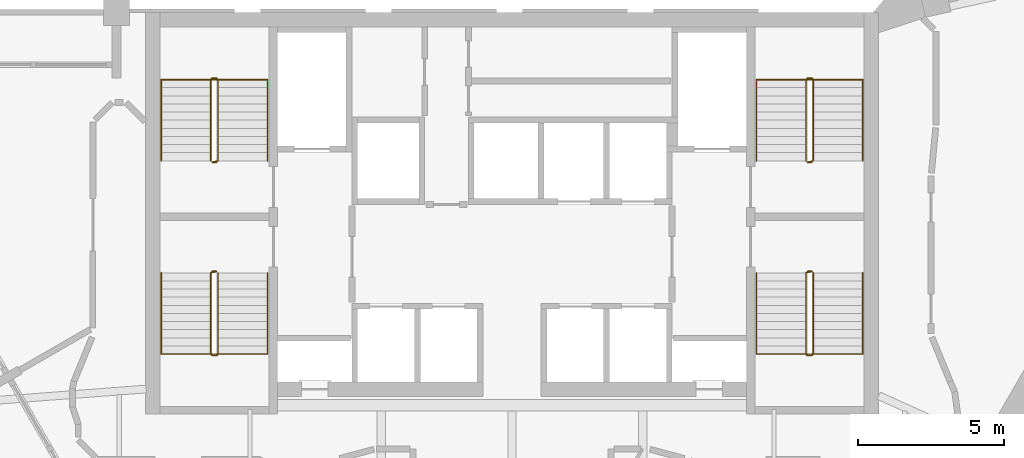
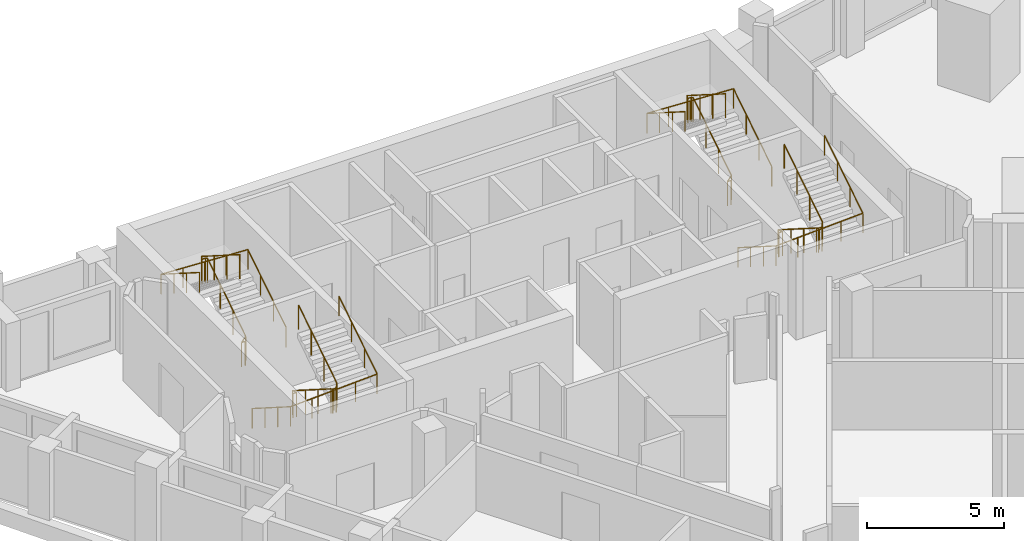
# One storey, part 8 of 8: 8 railings.
"""IFC4 building model written with IfcOpenShell, lengths in metres."""

import ifcopenshell
import ifcopenshell.guid

model = None  # the IFC model being written
_history = None  # IfcOwnerHistory: only IFC2X3 demands one
_inside = {}  # id of a spatial element -> (the spatial element, [elements in it])
_under = {}  # id of a project, library or spatial element -> (it, [spatial elements below it])
_declared = {}  # id of a project -> (the project, [libraries it declares])
_typed = {}  # id of a type object -> (the type object, [elements of that type])
_made_of = {}  # id of a material, layer set ... -> (it, [elements and type objects made of it])


def new_model(schema):
    """Start an empty IFC model of exactly this schema.

    Asked for "IFC4X3", IfcOpenShell would pick the latest addendum, in which some entities
    have other attributes; the version numbers below select the first issue.
    IFC2X3 requires an IfcOwnerHistory on every rooted entity: one is made here for all.
    """
    global model, _history
    if schema == "IFC4X3":
        model = ifcopenshell.file(schema_version=(4, 3, 0, 0))
    else:
        model = ifcopenshell.file(schema=schema)
    _inside.clear()
    _under.clear()
    _declared.clear()
    _typed.clear()
    _made_of.clear()
    _history = None
    if model.schema == "IFC2X3":
        org = make("IfcOrganization", Name="unknown")
        user = make(
            "IfcPersonAndOrganization",
            ThePerson=make("IfcPerson", FamilyName="unknown"),
            TheOrganization=org,
        )
        app = make(
            "IfcApplication",
            ApplicationDeveloper=org,
            Version="unknown",
            ApplicationFullName="unknown",
            ApplicationIdentifier="unknown",
        )
        _history = make(
            "IfcOwnerHistory",
            OwningUser=user,
            OwningApplication=app,
            ChangeAction="ADDED",
            CreationDate=0,
        )
    return model


def make(cls, **values):
    """One entity of the class cls with the attributes given. An attribute that is None is left unset."""
    return model.create_entity(
        cls, **{name: value for name, value in values.items() if value is not None}
    )


def rooted(cls, **values):
    """An entity with a GlobalId (a new one), such as an element, a storey or a relation."""
    return make(cls, GlobalId=ifcopenshell.guid.new(), OwnerHistory=_history, **values)


def si_unit(unit_type, name, prefix=None):
    """IfcSIUnit, for example si_unit("LENGTHUNIT", "METRE", prefix="MILLI")."""
    return make("IfcSIUnit", UnitType=unit_type, Prefix=prefix, Name=name)


def assignment(units):
    """IfcUnitAssignment: the units of a project."""
    return None if units is None else make("IfcUnitAssignment", Units=units)


def point(xyz):
    """IfcCartesianPoint."""
    return None if xyz is None else make("IfcCartesianPoint", Coordinates=xyz)


def direction(xyz):
    """IfcDirection."""
    return None if xyz is None else make("IfcDirection", DirectionRatios=xyz)


def frame(location, z_axis=None, x_axis=None):
    """IfcAxis2Placement3D, a coordinate frame: its origin and axes. An axis left out is left unset."""
    return make(
        "IfcAxis2Placement3D",
        Location=point(location),
        Axis=direction(z_axis),
        RefDirection=direction(x_axis),
    )


def frame_2d(location, x_axis=None):
    """IfcAxis2Placement2D, a coordinate frame in the plane: its origin and x axis."""
    return make(
        "IfcAxis2Placement2D", Location=point(location), RefDirection=direction(x_axis)
    )


def origin():
    """The frame at (0, 0, 0) with its axes left unset."""
    return frame((0.0, 0.0, 0.0))


def origin_2d():
    """The frame at (0, 0) in the plane with its x axis left unset."""
    return frame_2d((0.0, 0.0))


def place(relative_to, where):
    """IfcLocalPlacement: puts the frame where relative to a parent placement (None: the world)."""
    return make(
        "IfcLocalPlacement", PlacementRelTo=relative_to, RelativePlacement=where
    )


def context(
    kind, dimensions, precision=None, world=None, true_north=None, identifier=None
):
    """IfcGeometricRepresentationContext, for example the 3D "Model" context."""
    return make(
        "IfcGeometricRepresentationContext",
        ContextIdentifier=identifier,
        ContextType=kind,
        CoordinateSpaceDimension=dimensions,
        Precision=precision,
        WorldCoordinateSystem=world,
        TrueNorth=true_north,
    )


def subcontext(parent, identifier, kind, view, scale=None):
    """IfcGeometricRepresentationSubContext, for example "Body" below "Model"."""
    return make(
        "IfcGeometricRepresentationSubContext",
        ContextIdentifier=identifier,
        ContextType=kind,
        ParentContext=parent,
        TargetScale=scale,
        TargetView=view,
    )


def project(units=None, contexts=None):
    """IfcProject with its units and contexts."""
    return rooted(
        "IfcProject",
        Name="project",
        RepresentationContexts=contexts,
        UnitsInContext=assignment(units),
    )


def spatial(cls, under=None, at=None, **own):
    """A site, building, storey or space (cls), placed at a placement, below another one or the project."""
    s = rooted(cls, ObjectPlacement=at, **own)
    if under is not None:
        _under.setdefault(under.id(), (under, []))[1].append(s)
    return s


def profile(cls, at=None, kind="AREA", **sizes):
    """A parametric profile (cls). Its sizes go by their IFC names, for example OverallWidth=200.0."""
    return make(cls, ProfileType=kind, Position=at, **sizes)


def circle(**sizes):
    """IfcCircleProfileDef."""
    return profile("IfcCircleProfileDef", **sizes)


def extrude(swept, where, along, depth):
    """IfcExtrudedAreaSolid: the profile swept, set in the frame where, extruded along a direction by depth."""
    return make(
        "IfcExtrudedAreaSolid",
        SweptArea=swept,
        Position=where,
        ExtrudedDirection=direction(along),
        Depth=depth,
    )


def shape(context_of_items, identifier, shape_type, items):
    """IfcShapeRepresentation: the items that make up one representation, for example the "Body"."""
    return make(
        "IfcShapeRepresentation",
        ContextOfItems=context_of_items,
        RepresentationIdentifier=identifier,
        RepresentationType=shape_type,
        Items=items,
    )


def material(Name=None, Category=None):
    """IfcMaterial."""
    return make("IfcMaterial", Name=Name, Category=Category)


def made_of(thing, what):
    """Note that an element or type object is made of a material, layer set ...; save() writes the relation."""
    if what is not None:
        _made_of.setdefault(what.id(), (what, []))[1].append(thing)
    return thing


def type_object(cls, material=None, **own):
    """A type object (cls), such as IfcWallType, which elements share."""
    return made_of(rooted(cls, **own), material)


def element(
    cls,
    number,
    at=None,
    inside=None,
    cuts=None,
    type_object=None,
    material=None,
    context=None,
    identifier="Body",
    shape_type=None,
    held_by="IfcProductDefinitionShape",
    body=None,
    shapes=None,
    **own,
):
    """One element of the class cls, such as IfcWall. Its Tag is "e" and its number.

    at: its placement. inside: the storey or other place that contains it. cuts: it is an
    opening in that element (IfcRelVoidsElement). A single representation is given by context,
    identifier, shape_type and body (its items); several are given by shapes. held_by: the class
    of the entity that holds the representations. save() writes the other relations.
    """
    e = rooted(cls, Tag="e%d" % number, ObjectPlacement=at, **own)
    if body is not None:
        shapes = [shape(context, identifier, shape_type, body)]
    if shapes is not None:
        e.Representation = make(held_by, Representations=shapes)
    if inside is not None:
        _inside.setdefault(inside.id(), (inside, []))[1].append(e)
    if cuts is not None:
        rooted(
            "IfcRelVoidsElement", RelatingBuildingElement=cuts, RelatedOpeningElement=e
        )
    if type_object is not None:
        _typed.setdefault(type_object.id(), (type_object, []))[1].append(e)
    return made_of(e, material)


def aggregate(whole, parts):
    """IfcRelAggregates: a whole, such as a stair, and the parts it consists of."""
    return rooted("IfcRelAggregates", RelatingObject=whole, RelatedObjects=parts)


def save(model, path):
    """Write the relations noted so far, then the file.

    IfcRelAggregates (storeys below a building ...), IfcRelContainedInSpatialStructure (elements
    in a storey), IfcRelDefinesByType, IfcRelAssociatesMaterial and IfcRelDeclares: one each for
    every whole, place, type object, material and project.
    """
    for whole, parts in _under.values():
        aggregate(whole, parts)
    for where, things in _inside.values():
        rooted(
            "IfcRelContainedInSpatialStructure",
            RelatedElements=things,
            RelatingStructure=where,
        )
    for kind, things in _typed.values():
        rooted("IfcRelDefinesByType", RelatedObjects=things, RelatingType=kind)
    for what, things in _made_of.values():
        rooted("IfcRelAssociatesMaterial", RelatedObjects=things, RelatingMaterial=what)
    for by, libraries in _declared.values():
        rooted("IfcRelDeclares", RelatingContext=by, RelatedDefinitions=libraries)
    model.write(path)


model = new_model("IFC4")

# Units and contexts
model_context = context("Model", 3, precision=1e-05, world=origin(), true_north=direction((0.0, 1.0)))
body_context = subcontext(model_context, "Body", "Model", "MODEL_VIEW")
ifc_project = project(units=[si_unit("LENGTHUNIT", "METRE"), si_unit("AREAUNIT", "SQUARE_METRE"), si_unit("VOLUMEUNIT", "CUBIC_METRE"), si_unit("PLANEANGLEUNIT", "RADIAN"), si_unit("MASSUNIT", "GRAM", prefix="KILO")], contexts=[model_context])

# Site, building, storey
site_placement = place(None, origin())
site = spatial("IfcSite", under=ifc_project, at=site_placement, CompositionType="ELEMENT")
building_placement = place(site_placement, origin())
building = spatial("IfcBuilding", under=site, at=building_placement, Name="Calabash Gate Tower", CompositionType="ELEMENT")
storey_placement = place(building_placement, frame((0.0, 0.0, 259.89990234375)))
storey = spatial("IfcBuildingStorey", under=building, at=storey_placement, Name="L62", CompositionType="ELEMENT", Elevation=259.89990234375)

# Railings
ifc_material_1 = material(Name="Black powder-coated steel balusters", Category="steel")
railing_type_1 = type_object("IfcRailingType", Name="Stair guard RL1100", PredefinedType="GUARDRAIL", material=ifc_material_1)
railing_1_placement = place(storey_placement, frame((-10.14990234375, 13.902587890625, 0.0)))
element("IfcRailing", 1, at=railing_1_placement, inside=storey, type_object=railing_type_1, Name="L62 ST1 stair guard 1", PredefinedType="GUARDRAIL", context=body_context, shape_type="SweptSolid", body=[
    extrude(circle(Radius=0.02392578125, at=origin_2d()), frame((0.0, 0.0, 1.076171875), z_axis=(-1.0, 0.0, 0.0), x_axis=(0.0, -1.0, 0.0)), (0.0, 0.0, 1.0), 0.150146484375),
    extrude(circle(Radius=0.02392578125, at=origin_2d()), frame((-0.150146484375, 0.0, 1.076171875), z_axis=(0.735094037398, 0.183997897029, 0.652519371414), x_axis=(-0.242814311512, 0.970072785993, 0.0)), (0.0, 0.0, 1.0), 0.27197265625),
    extrude(circle(Radius=0.02392578125, at=origin_2d()), frame((0.0498046875, 0.050048828125, 1.25341796875), z_axis=(0.0, 0.844041424197, 0.536277982245), x_axis=(-1.0, 0.0, 0.0)), (0.0, 0.0, 1.0), 3.3056640625),
    extrude(circle(Radius=0.02392578125, at=origin_2d()), frame((0.0498046875, 2.840087890625, 3.0263671875), z_axis=(-0.707106781187, 0.707106781187, 0.0), x_axis=(-0.707106781187, -0.707106781187, 0.0)), (0.0, 0.0, 1.0), 0.0703125),
    extrude(circle(Radius=0.02392578125, at=origin_2d()), frame((0.0, 2.889892578125, 3.0263671875), z_axis=(-1.0, 0.0, 0.0), x_axis=(0.0, -1.0, 0.0)), (0.0, 0.0, 1.0), 0.150146484375),
    extrude(circle(Radius=0.02392578125, at=origin_2d()), frame((-0.150146484375, 2.889892578125, 3.0263671875), z_axis=(-0.262321481514, -0.261041864531, 0.929001929653), x_axis=(0.705375805398, -0.708833529934, 0.0)), (0.0, 0.0, 1.0), 0.190673828125),
    extrude(circle(Radius=0.02392578125, at=origin_2d()), frame((-0.2001953125, 2.840087890625, 3.20361328125), z_axis=(0.0, -0.844041424197, 0.536277982245), x_axis=(1.0, 0.0, 0.0)), (0.0, 0.0, 1.0), 3.3056640625),
    extrude(circle(Radius=0.02099609375, at=origin_2d()), origin(), (0.0, 0.0, 1.0), 1.052001953125),
    extrude(circle(Radius=0.02099609375, at=origin_2d()), frame((-0.150146484375, 0.0, 0.0)), (0.0, 0.0, 1.0), 1.052001953125),
    extrude(circle(Radius=0.02099609375, at=origin_2d()), frame((0.0498046875, 0.050048828125, 0.177490234375)), (0.0, 0.0, 1.0), 1.052001953125),
    extrude(circle(Radius=0.02099609375, at=origin_2d()), frame((0.0498046875, 0.97998046875, 0.768310546875)), (0.0, 0.0, 1.0), 1.052001953125),
    extrude(circle(Radius=0.02099609375, at=origin_2d()), frame((0.0498046875, 1.91015625, 1.359375)), (0.0, 0.0, 1.0), 1.052001953125),
    extrude(circle(Radius=0.02099609375, at=origin_2d()), frame((0.0498046875, 2.840087890625, 1.9501953125)), (0.0, 0.0, 1.0), 1.052001953125),
    extrude(circle(Radius=0.02099609375, at=origin_2d()), frame((0.0, 2.889892578125, 1.9501953125)), (0.0, 0.0, 1.0), 1.052001953125),
    extrude(circle(Radius=0.02099609375, at=origin_2d()), frame((-0.150146484375, 2.889892578125, 1.9501953125)), (0.0, 0.0, 1.0), 1.052001953125),
    extrude(circle(Radius=0.02099609375, at=origin_2d()), frame((-0.2001953125, 2.840087890625, 2.12744140625)), (0.0, 0.0, 1.0), 1.052001953125),
    extrude(circle(Radius=0.02099609375, at=origin_2d()), frame((-0.2001953125, 1.91015625, 2.71826171875)), (0.0, 0.0, 1.0), 1.052001953125),
    extrude(circle(Radius=0.02099609375, at=origin_2d()), frame((-0.2001953125, 0.97998046875, 3.309326171875)), (0.0, 0.0, 1.0), 1.052001953125),
    extrude(circle(Radius=0.02099609375, at=origin_2d()), frame((-0.2001953125, 0.050048828125, 3.900146484375)), (0.0, 0.0, 1.0), 1.052001953125),
])
railing_2_placement = place(storey_placement, frame((-10.300048828125, 10.152587890625, 0.0)))
element("IfcRailing", 2, at=railing_2_placement, inside=storey, type_object=railing_type_1, Name="L62 ST2 stair guard 1", PredefinedType="GUARDRAIL", context=body_context, shape_type="SweptSolid", body=[
    extrude(circle(Radius=0.02392578125, at=origin_2d()), frame((0.0, 0.0, 1.076171875), z_axis=(1.0, 0.0, 0.0), x_axis=(0.0, 1.0, 0.0)), (0.0, 0.0, 1.0), 0.150146484375),
    extrude(circle(Radius=0.02392578125, at=origin_2d()), frame((0.150146484375, 0.0, 1.076171875), z_axis=(-0.735506176693, -0.183876544173, 0.652089012751), x_axis=(0.242535625036, -0.970142500145, 0.0)), (0.0, 0.0, 1.0), 0.272216796875),
    extrude(circle(Radius=0.02392578125, at=origin_2d()), frame((-0.050048828125, -0.050048828125, 1.25341796875), z_axis=(0.0, -0.844041424197, 0.536277982245), x_axis=(1.0, 0.0, 0.0)), (0.0, 0.0, 1.0), 3.3056640625),
    extrude(circle(Radius=0.02392578125, at=origin_2d()), frame((-0.050048828125, -2.840087890625, 3.0263671875), z_axis=(0.708833529934, -0.705375805398, 0.0), x_axis=(0.705375805398, 0.708833529934, 0.0)), (0.0, 0.0, 1.0), 0.070556640625),
    extrude(circle(Radius=0.02392578125, at=origin_2d()), frame((0.0, -2.889892578125, 3.0263671875), z_axis=(1.0, 0.0, 0.0), x_axis=(0.0, 1.0, 0.0)), (0.0, 0.0, 1.0), 0.150146484375),
    extrude(circle(Radius=0.02392578125, at=origin_2d()), frame((0.150146484375, -2.889892578125, 3.0263671875), z_axis=(0.261129318932, 0.261129318932, 0.929313164433), x_axis=(-0.707106781187, 0.707106781187, 0.0)), (0.0, 0.0, 1.0), 0.190673828125),
    extrude(circle(Radius=0.02392578125, at=origin_2d()), frame((0.199951171875, -2.840087890625, 3.20361328125), z_axis=(0.0, 0.844041424197, 0.536277982245), x_axis=(-1.0, 0.0, 0.0)), (0.0, 0.0, 1.0), 3.3056640625),
    extrude(circle(Radius=0.02099609375, at=origin_2d()), origin(), (0.0, 0.0, 1.0), 1.052001953125),
    extrude(circle(Radius=0.02099609375, at=origin_2d()), frame((0.150146484375, 0.0, 0.0)), (0.0, 0.0, 1.0), 1.052001953125),
    extrude(circle(Radius=0.02099609375, at=origin_2d()), frame((-0.050048828125, -0.050048828125, 0.177490234375)), (0.0, 0.0, 1.0), 1.052001953125),
    extrude(circle(Radius=0.02099609375, at=origin_2d()), frame((-0.050048828125, -0.97998046875, 0.768310546875)), (0.0, 0.0, 1.0), 1.052001953125),
    extrude(circle(Radius=0.02099609375, at=origin_2d()), frame((-0.050048828125, -1.91015625, 1.359375)), (0.0, 0.0, 1.0), 1.052001953125),
    extrude(circle(Radius=0.02099609375, at=origin_2d()), frame((-0.050048828125, -2.840087890625, 1.9501953125)), (0.0, 0.0, 1.0), 1.052001953125),
    extrude(circle(Radius=0.02099609375, at=origin_2d()), frame((0.0, -2.889892578125, 1.9501953125)), (0.0, 0.0, 1.0), 1.052001953125),
    extrude(circle(Radius=0.02099609375, at=origin_2d()), frame((0.150146484375, -2.889892578125, 1.9501953125)), (0.0, 0.0, 1.0), 1.052001953125),
    extrude(circle(Radius=0.02099609375, at=origin_2d()), frame((0.199951171875, -2.840087890625, 2.12744140625)), (0.0, 0.0, 1.0), 1.052001953125),
    extrude(circle(Radius=0.02099609375, at=origin_2d()), frame((0.199951171875, -1.91015625, 2.71826171875)), (0.0, 0.0, 1.0), 1.052001953125),
    extrude(circle(Radius=0.02099609375, at=origin_2d()), frame((0.199951171875, -0.97998046875, 3.309326171875)), (0.0, 0.0, 1.0), 1.052001953125),
    extrude(circle(Radius=0.02099609375, at=origin_2d()), frame((0.199951171875, -0.050048828125, 3.900146484375)), (0.0, 0.0, 1.0), 1.052001953125),
])
railing_3_placement = place(storey_placement, frame((10.300048828125, 13.902587890625, 0.0)))
element("IfcRailing", 3, at=railing_3_placement, inside=storey, type_object=railing_type_1, Name="L62 ST3 stair guard 1", PredefinedType="GUARDRAIL", context=body_context, shape_type="SweptSolid", body=[
    extrude(circle(Radius=0.02392578125, at=origin_2d()), frame((0.0, 0.0, 1.076171875), z_axis=(-1.0, 0.0, 0.0), x_axis=(0.0, -1.0, 0.0)), (0.0, 0.0, 1.0), 0.150146484375),
    extrude(circle(Radius=0.02392578125, at=origin_2d()), frame((-0.150146484375, 0.0, 1.076171875), z_axis=(0.735506176693, 0.183876544173, 0.652089012751), x_axis=(-0.242535625036, 0.970142500145, 0.0)), (0.0, 0.0, 1.0), 0.272216796875),
    extrude(circle(Radius=0.02392578125, at=origin_2d()), frame((0.050048828125, 0.050048828125, 1.25341796875), z_axis=(0.0, 0.844041424197, 0.536277982245), x_axis=(-1.0, 0.0, 0.0)), (0.0, 0.0, 1.0), 3.3056640625),
    extrude(circle(Radius=0.02392578125, at=origin_2d()), frame((0.050048828125, 2.840087890625, 3.0263671875), z_axis=(-0.708833529934, 0.705375805398, 0.0), x_axis=(-0.705375805398, -0.708833529934, 0.0)), (0.0, 0.0, 1.0), 0.070556640625),
    extrude(circle(Radius=0.02392578125, at=origin_2d()), frame((0.0, 2.889892578125, 3.0263671875), z_axis=(-1.0, 0.0, 0.0), x_axis=(0.0, -1.0, 0.0)), (0.0, 0.0, 1.0), 0.150146484375),
    extrude(circle(Radius=0.02392578125, at=origin_2d()), frame((-0.150146484375, 2.889892578125, 3.0263671875), z_axis=(-0.261129318932, -0.261129318932, 0.929313164433), x_axis=(0.707106781187, -0.707106781187, 0.0)), (0.0, 0.0, 1.0), 0.190673828125),
    extrude(circle(Radius=0.02392578125, at=origin_2d()), frame((-0.199951171875, 2.840087890625, 3.20361328125), z_axis=(0.0, -0.844041424197, 0.536277982245), x_axis=(1.0, 0.0, 0.0)), (0.0, 0.0, 1.0), 3.3056640625),
    extrude(circle(Radius=0.02099609375, at=origin_2d()), origin(), (0.0, 0.0, 1.0), 1.052001953125),
    extrude(circle(Radius=0.02099609375, at=origin_2d()), frame((-0.150146484375, 0.0, 0.0)), (0.0, 0.0, 1.0), 1.052001953125),
    extrude(circle(Radius=0.02099609375, at=origin_2d()), frame((0.050048828125, 0.050048828125, 0.177490234375)), (0.0, 0.0, 1.0), 1.052001953125),
    extrude(circle(Radius=0.02099609375, at=origin_2d()), frame((0.050048828125, 0.97998046875, 0.768310546875)), (0.0, 0.0, 1.0), 1.052001953125),
    extrude(circle(Radius=0.02099609375, at=origin_2d()), frame((0.050048828125, 1.91015625, 1.359375)), (0.0, 0.0, 1.0), 1.052001953125),
    extrude(circle(Radius=0.02099609375, at=origin_2d()), frame((0.050048828125, 2.840087890625, 1.9501953125)), (0.0, 0.0, 1.0), 1.052001953125),
    extrude(circle(Radius=0.02099609375, at=origin_2d()), frame((0.0, 2.889892578125, 1.9501953125)), (0.0, 0.0, 1.0), 1.052001953125),
    extrude(circle(Radius=0.02099609375, at=origin_2d()), frame((-0.150146484375, 2.889892578125, 1.9501953125)), (0.0, 0.0, 1.0), 1.052001953125),
    extrude(circle(Radius=0.02099609375, at=origin_2d()), frame((-0.199951171875, 2.840087890625, 2.12744140625)), (0.0, 0.0, 1.0), 1.052001953125),
    extrude(circle(Radius=0.02099609375, at=origin_2d()), frame((-0.199951171875, 1.91015625, 2.71826171875)), (0.0, 0.0, 1.0), 1.052001953125),
    extrude(circle(Radius=0.02099609375, at=origin_2d()), frame((-0.199951171875, 0.97998046875, 3.309326171875)), (0.0, 0.0, 1.0), 1.052001953125),
    extrude(circle(Radius=0.02099609375, at=origin_2d()), frame((-0.199951171875, 0.050048828125, 3.900146484375)), (0.0, 0.0, 1.0), 1.052001953125),
])
railing_4_placement = place(storey_placement, frame((10.14990234375, 10.152587890625, 0.0)))
element("IfcRailing", 4, at=railing_4_placement, inside=storey, type_object=railing_type_1, Name="L62 ST4 stair guard 1", PredefinedType="GUARDRAIL", context=body_context, shape_type="SweptSolid", body=[
    extrude(circle(Radius=0.02392578125, at=origin_2d()), frame((0.0, 0.0, 1.076171875), z_axis=(1.0, 0.0, 0.0), x_axis=(0.0, 1.0, 0.0)), (0.0, 0.0, 1.0), 0.150146484375),
    extrude(circle(Radius=0.02392578125, at=origin_2d()), frame((0.150146484375, 0.0, 1.076171875), z_axis=(-0.735094037398, -0.183997897029, 0.652519371414), x_axis=(0.242814311512, -0.970072785993, 0.0)), (0.0, 0.0, 1.0), 0.27197265625),
    extrude(circle(Radius=0.02392578125, at=origin_2d()), frame((-0.0498046875, -0.050048828125, 1.25341796875), z_axis=(0.0, -0.844041424197, 0.536277982245), x_axis=(1.0, 0.0, 0.0)), (0.0, 0.0, 1.0), 3.3056640625),
    extrude(circle(Radius=0.02392578125, at=origin_2d()), frame((-0.0498046875, -2.840087890625, 3.0263671875), z_axis=(0.707106781187, -0.707106781187, 0.0), x_axis=(0.707106781187, 0.707106781187, 0.0)), (0.0, 0.0, 1.0), 0.0703125),
    extrude(circle(Radius=0.02392578125, at=origin_2d()), frame((0.0, -2.889892578125, 3.0263671875), z_axis=(1.0, 0.0, 0.0), x_axis=(0.0, 1.0, 0.0)), (0.0, 0.0, 1.0), 0.150146484375),
    extrude(circle(Radius=0.02392578125, at=origin_2d()), frame((0.150146484375, -2.889892578125, 3.0263671875), z_axis=(0.262321481514, 0.261041864531, 0.929001929653), x_axis=(-0.705375805398, 0.708833529934, 0.0)), (0.0, 0.0, 1.0), 0.190673828125),
    extrude(circle(Radius=0.02392578125, at=origin_2d()), frame((0.2001953125, -2.840087890625, 3.20361328125), z_axis=(0.0, 0.844041424197, 0.536277982245), x_axis=(-1.0, 0.0, 0.0)), (0.0, 0.0, 1.0), 3.3056640625),
    extrude(circle(Radius=0.02099609375, at=origin_2d()), origin(), (0.0, 0.0, 1.0), 1.052001953125),
    extrude(circle(Radius=0.02099609375, at=origin_2d()), frame((0.150146484375, 0.0, 0.0)), (0.0, 0.0, 1.0), 1.052001953125),
    extrude(circle(Radius=0.02099609375, at=origin_2d()), frame((-0.0498046875, -0.050048828125, 0.177490234375)), (0.0, 0.0, 1.0), 1.052001953125),
    extrude(circle(Radius=0.02099609375, at=origin_2d()), frame((-0.0498046875, -0.97998046875, 0.768310546875)), (0.0, 0.0, 1.0), 1.052001953125),
    extrude(circle(Radius=0.02099609375, at=origin_2d()), frame((-0.0498046875, -1.91015625, 1.359375)), (0.0, 0.0, 1.0), 1.052001953125),
    extrude(circle(Radius=0.02099609375, at=origin_2d()), frame((-0.0498046875, -2.840087890625, 1.9501953125)), (0.0, 0.0, 1.0), 1.052001953125),
    extrude(circle(Radius=0.02099609375, at=origin_2d()), frame((0.0, -2.889892578125, 1.9501953125)), (0.0, 0.0, 1.0), 1.052001953125),
    extrude(circle(Radius=0.02099609375, at=origin_2d()), frame((0.150146484375, -2.889892578125, 1.9501953125)), (0.0, 0.0, 1.0), 1.052001953125),
    extrude(circle(Radius=0.02099609375, at=origin_2d()), frame((0.2001953125, -2.840087890625, 2.12744140625)), (0.0, 0.0, 1.0), 1.052001953125),
    extrude(circle(Radius=0.02099609375, at=origin_2d()), frame((0.2001953125, -1.91015625, 2.71826171875)), (0.0, 0.0, 1.0), 1.052001953125),
    extrude(circle(Radius=0.02099609375, at=origin_2d()), frame((0.2001953125, -0.97998046875, 3.309326171875)), (0.0, 0.0, 1.0), 1.052001953125),
    extrude(circle(Radius=0.02099609375, at=origin_2d()), frame((0.2001953125, -0.050048828125, 3.900146484375)), (0.0, 0.0, 1.0), 1.052001953125),
])
ifc_material_2 = material(Name="Black powder-coated steel tube 48 mm", Category="steel")
railing_type_2 = type_object("IfcRailingType", Name="Stair handrail RL900", PredefinedType="HANDRAIL", material=ifc_material_2)
railing_5_placement = place(storey_placement, frame((-8.39990234375, 13.95263671875, 0.177490234375)))
element("IfcRailing", 5, at=railing_5_placement, inside=storey, type_object=railing_type_2, Name="L62 ST1 stair handrail 1", PredefinedType="HANDRAIL", context=body_context, shape_type="SweptSolid", body=[
    extrude(circle(Radius=0.02392578125, at=origin_2d()), frame((0.0, 0.0, 0.8759765625), z_axis=(0.0, 0.844041424197, 0.536277982245), x_axis=(-1.0, 0.0, 0.0)), (0.0, 0.0, 1.0), 3.3056640625),
    extrude(circle(Radius=0.02392578125, at=origin_2d()), frame((0.0, 2.7900390625, 2.6484375), z_axis=(-0.998823110844, 0.0, 0.048501476722), x_axis=(0.0, -1.0, 0.0)), (0.0, 0.0, 1.0), 3.654541015625),
    extrude(circle(Radius=0.02392578125, at=origin_2d()), frame((-3.650146484375, 2.7900390625, 2.82568359375), z_axis=(0.0, -0.844041424197, 0.536277982245), x_axis=(1.0, 0.0, 0.0)), (0.0, 0.0, 1.0), 3.3056640625),
    extrude(circle(Radius=0.02099609375, at=origin_2d()), origin(), (0.0, 0.0, 1.0), 0.851806640625),
    extrude(circle(Radius=0.02099609375, at=origin_2d()), frame((0.0, 0.929931640625, 0.5908203125)), (0.0, 0.0, 1.0), 0.851806640625),
    extrude(circle(Radius=0.02099609375, at=origin_2d()), frame((0.0, 1.860107421875, 1.181884765625)), (0.0, 0.0, 1.0), 0.851806640625),
    extrude(circle(Radius=0.02099609375, at=origin_2d()), frame((0.0, 2.7900390625, 1.772705078125)), (0.0, 0.0, 1.0), 0.851806640625),
    extrude(circle(Radius=0.02099609375, at=origin_2d()), frame((-0.91259765625, 2.7900390625, 1.81689453125)), (0.0, 0.0, 1.0), 0.851806640625),
    extrude(circle(Radius=0.02099609375, at=origin_2d()), frame((-1.8251953125, 2.7900390625, 1.861328125)), (0.0, 0.0, 1.0), 0.851806640625),
    extrude(circle(Radius=0.02099609375, at=origin_2d()), frame((-2.737548828125, 2.7900390625, 1.90576171875)), (0.0, 0.0, 1.0), 0.851806640625),
    extrude(circle(Radius=0.02099609375, at=origin_2d()), frame((-3.650146484375, 2.7900390625, 1.949951171875)), (0.0, 0.0, 1.0), 0.851806640625),
    extrude(circle(Radius=0.02099609375, at=origin_2d()), frame((-3.650146484375, 1.860107421875, 2.540771484375)), (0.0, 0.0, 1.0), 0.851806640625),
    extrude(circle(Radius=0.02099609375, at=origin_2d()), frame((-3.650146484375, 0.929931640625, 3.1318359375)), (0.0, 0.0, 1.0), 0.851806640625),
    extrude(circle(Radius=0.02099609375, at=origin_2d()), frame((-3.650146484375, 0.0, 3.72265625)), (0.0, 0.0, 1.0), 0.851806640625),
])
railing_6_placement = place(storey_placement, frame((-12.050048828125, 10.1025390625, 0.177490234375)))
element("IfcRailing", 6, at=railing_6_placement, inside=storey, type_object=railing_type_2, Name="L62 ST2 stair handrail 1", PredefinedType="HANDRAIL", context=body_context, shape_type="SweptSolid", body=[
    extrude(circle(Radius=0.02392578125, at=origin_2d()), frame((0.0, 0.0, 0.8759765625), z_axis=(0.0, -0.844041424197, 0.536277982245), x_axis=(1.0, 0.0, 0.0)), (0.0, 0.0, 1.0), 3.3056640625),
    extrude(circle(Radius=0.02392578125, at=origin_2d()), frame((0.0, -2.7900390625, 2.6484375), z_axis=(0.998823110844, 0.0, 0.048501476722), x_axis=(0.0, 1.0, 0.0)), (0.0, 0.0, 1.0), 3.654541015625),
    extrude(circle(Radius=0.02392578125, at=origin_2d()), frame((3.650146484375, -2.7900390625, 2.82568359375), z_axis=(0.0, 0.844041424197, 0.536277982245), x_axis=(-1.0, 0.0, 0.0)), (0.0, 0.0, 1.0), 3.3056640625),
    extrude(circle(Radius=0.02099609375, at=origin_2d()), origin(), (0.0, 0.0, 1.0), 0.851806640625),
    extrude(circle(Radius=0.02099609375, at=origin_2d()), frame((0.0, -0.929931640625, 0.5908203125)), (0.0, 0.0, 1.0), 0.851806640625),
    extrude(circle(Radius=0.02099609375, at=origin_2d()), frame((0.0, -1.860107421875, 1.181884765625)), (0.0, 0.0, 1.0), 0.851806640625),
    extrude(circle(Radius=0.02099609375, at=origin_2d()), frame((0.0, -2.7900390625, 1.772705078125)), (0.0, 0.0, 1.0), 0.851806640625),
    extrude(circle(Radius=0.02099609375, at=origin_2d()), frame((0.91259765625, -2.7900390625, 1.81689453125)), (0.0, 0.0, 1.0), 0.851806640625),
    extrude(circle(Radius=0.02099609375, at=origin_2d()), frame((1.8251953125, -2.7900390625, 1.861328125)), (0.0, 0.0, 1.0), 0.851806640625),
    extrude(circle(Radius=0.02099609375, at=origin_2d()), frame((2.737548828125, -2.7900390625, 1.90576171875)), (0.0, 0.0, 1.0), 0.851806640625),
    extrude(circle(Radius=0.02099609375, at=origin_2d()), frame((3.650146484375, -2.7900390625, 1.949951171875)), (0.0, 0.0, 1.0), 0.851806640625),
    extrude(circle(Radius=0.02099609375, at=origin_2d()), frame((3.650146484375, -1.860107421875, 2.540771484375)), (0.0, 0.0, 1.0), 0.851806640625),
    extrude(circle(Radius=0.02099609375, at=origin_2d()), frame((3.650146484375, -0.929931640625, 3.1318359375)), (0.0, 0.0, 1.0), 0.851806640625),
    extrude(circle(Radius=0.02099609375, at=origin_2d()), frame((3.650146484375, 0.0, 3.72265625)), (0.0, 0.0, 1.0), 0.851806640625),
])
railing_7_placement = place(storey_placement, frame((12.050048828125, 13.95263671875, 0.177490234375)))
element("IfcRailing", 7, at=railing_7_placement, inside=storey, type_object=railing_type_2, Name="L62 ST3 stair handrail 1", PredefinedType="HANDRAIL", context=body_context, shape_type="SweptSolid", body=[
    extrude(circle(Radius=0.02392578125, at=origin_2d()), frame((0.0, 0.0, 0.8759765625), z_axis=(0.0, 0.844041424197, 0.536277982245), x_axis=(-1.0, 0.0, 0.0)), (0.0, 0.0, 1.0), 3.3056640625),
    extrude(circle(Radius=0.02392578125, at=origin_2d()), frame((0.0, 2.7900390625, 2.6484375), z_axis=(-0.998823110844, 0.0, 0.048501476722), x_axis=(0.0, -1.0, 0.0)), (0.0, 0.0, 1.0), 3.654541015625),
    extrude(circle(Radius=0.02392578125, at=origin_2d()), frame((-3.650146484375, 2.7900390625, 2.82568359375), z_axis=(0.0, -0.844041424197, 0.536277982245), x_axis=(1.0, 0.0, 0.0)), (0.0, 0.0, 1.0), 3.3056640625),
    extrude(circle(Radius=0.02099609375, at=origin_2d()), origin(), (0.0, 0.0, 1.0), 0.851806640625),
    extrude(circle(Radius=0.02099609375, at=origin_2d()), frame((0.0, 0.929931640625, 0.5908203125)), (0.0, 0.0, 1.0), 0.851806640625),
    extrude(circle(Radius=0.02099609375, at=origin_2d()), frame((0.0, 1.860107421875, 1.181884765625)), (0.0, 0.0, 1.0), 0.851806640625),
    extrude(circle(Radius=0.02099609375, at=origin_2d()), frame((0.0, 2.7900390625, 1.772705078125)), (0.0, 0.0, 1.0), 0.851806640625),
    extrude(circle(Radius=0.02099609375, at=origin_2d()), frame((-0.91259765625, 2.7900390625, 1.81689453125)), (0.0, 0.0, 1.0), 0.851806640625),
    extrude(circle(Radius=0.02099609375, at=origin_2d()), frame((-1.8251953125, 2.7900390625, 1.861328125)), (0.0, 0.0, 1.0), 0.851806640625),
    extrude(circle(Radius=0.02099609375, at=origin_2d()), frame((-2.737548828125, 2.7900390625, 1.90576171875)), (0.0, 0.0, 1.0), 0.851806640625),
    extrude(circle(Radius=0.02099609375, at=origin_2d()), frame((-3.650146484375, 2.7900390625, 1.949951171875)), (0.0, 0.0, 1.0), 0.851806640625),
    extrude(circle(Radius=0.02099609375, at=origin_2d()), frame((-3.650146484375, 1.860107421875, 2.540771484375)), (0.0, 0.0, 1.0), 0.851806640625),
    extrude(circle(Radius=0.02099609375, at=origin_2d()), frame((-3.650146484375, 0.929931640625, 3.1318359375)), (0.0, 0.0, 1.0), 0.851806640625),
    extrude(circle(Radius=0.02099609375, at=origin_2d()), frame((-3.650146484375, 0.0, 3.72265625)), (0.0, 0.0, 1.0), 0.851806640625),
])
railing_8_placement = place(storey_placement, frame((8.39990234375, 10.1025390625, 0.177490234375)))
element("IfcRailing", 8, at=railing_8_placement, inside=storey, type_object=railing_type_2, Name="L62 ST4 stair handrail 1", PredefinedType="HANDRAIL", context=body_context, shape_type="SweptSolid", body=[
    extrude(circle(Radius=0.02392578125, at=origin_2d()), frame((0.0, 0.0, 0.8759765625), z_axis=(0.0, -0.844041424197, 0.536277982245), x_axis=(1.0, 0.0, 0.0)), (0.0, 0.0, 1.0), 3.3056640625),
    extrude(circle(Radius=0.02392578125, at=origin_2d()), frame((0.0, -2.7900390625, 2.6484375), z_axis=(0.998823110844, 0.0, 0.048501476722), x_axis=(0.0, 1.0, 0.0)), (0.0, 0.0, 1.0), 3.654541015625),
    extrude(circle(Radius=0.02392578125, at=origin_2d()), frame((3.650146484375, -2.7900390625, 2.82568359375), z_axis=(0.0, 0.844041424197, 0.536277982245), x_axis=(-1.0, 0.0, 0.0)), (0.0, 0.0, 1.0), 3.3056640625),
    extrude(circle(Radius=0.02099609375, at=origin_2d()), origin(), (0.0, 0.0, 1.0), 0.851806640625),
    extrude(circle(Radius=0.02099609375, at=origin_2d()), frame((0.0, -0.929931640625, 0.5908203125)), (0.0, 0.0, 1.0), 0.851806640625),
    extrude(circle(Radius=0.02099609375, at=origin_2d()), frame((0.0, -1.860107421875, 1.181884765625)), (0.0, 0.0, 1.0), 0.851806640625),
    extrude(circle(Radius=0.02099609375, at=origin_2d()), frame((0.0, -2.7900390625, 1.772705078125)), (0.0, 0.0, 1.0), 0.851806640625),
    extrude(circle(Radius=0.02099609375, at=origin_2d()), frame((0.91259765625, -2.7900390625, 1.81689453125)), (0.0, 0.0, 1.0), 0.851806640625),
    extrude(circle(Radius=0.02099609375, at=origin_2d()), frame((1.8251953125, -2.7900390625, 1.861328125)), (0.0, 0.0, 1.0), 0.851806640625),
    extrude(circle(Radius=0.02099609375, at=origin_2d()), frame((2.737548828125, -2.7900390625, 1.90576171875)), (0.0, 0.0, 1.0), 0.851806640625),
    extrude(circle(Radius=0.02099609375, at=origin_2d()), frame((3.650146484375, -2.7900390625, 1.949951171875)), (0.0, 0.0, 1.0), 0.851806640625),
    extrude(circle(Radius=0.02099609375, at=origin_2d()), frame((3.650146484375, -1.860107421875, 2.540771484375)), (0.0, 0.0, 1.0), 0.851806640625),
    extrude(circle(Radius=0.02099609375, at=origin_2d()), frame((3.650146484375, -0.929931640625, 3.1318359375)), (0.0, 0.0, 1.0), 0.851806640625),
    extrude(circle(Radius=0.02099609375, at=origin_2d()), frame((3.650146484375, 0.0, 3.72265625)), (0.0, 0.0, 1.0), 0.851806640625),
])

save(model, "model.ifc")
